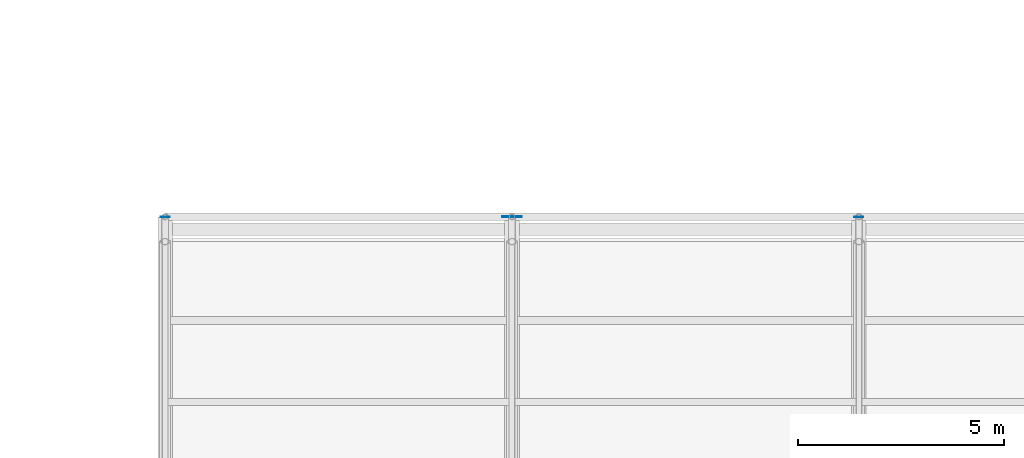
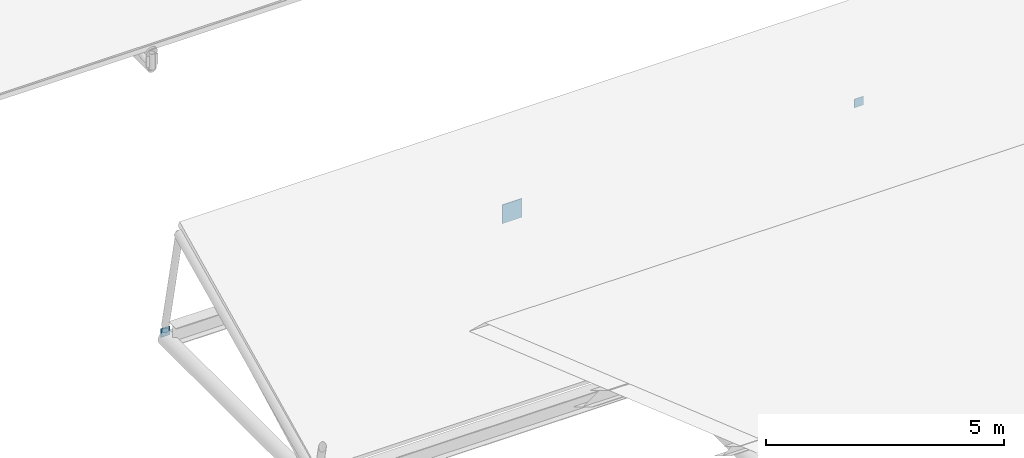
# One storey, part 158 of 194: 3 plates.
"""IFC4 building model written with IfcOpenShell, lengths in metres."""

from ifc_helpers import new_model, si_unit, direction, frame, origin, origin_2d, place, context, subcontext, project, spatial, rectangle, extrude, material, layer, layer_set, type_object, element, save


model = new_model("IFC4")

# Units and contexts
model_context = context("Model", 3, precision=1e-05, world=origin(), true_north=direction((0.0, 1.0)))
body_context = subcontext(model_context, "Body", "Model", "MODEL_VIEW")
ifc_project = project(units=[si_unit("LENGTHUNIT", "METRE"), si_unit("AREAUNIT", "SQUARE_METRE"), si_unit("VOLUMEUNIT", "CUBIC_METRE"), si_unit("PLANEANGLEUNIT", "RADIAN"), si_unit("MASSUNIT", "GRAM", prefix="KILO")], contexts=[model_context])

# Site, building, storey
site_placement = place(None, origin())
site = spatial("IfcSite", under=ifc_project, at=site_placement, CompositionType="ELEMENT")
building_placement = place(site_placement, origin())
building = spatial("IfcBuilding", under=site, at=building_placement, Name="Kazenagashi Tramway Depot", CompositionType="ELEMENT")
storey_placement = place(building_placement, frame((0.0, 0.0, 23.7)))
storey = spatial("IfcBuildingStorey", under=building, at=storey_placement, Name="ROOF", CompositionType="ELEMENT", Elevation=23.7)

# Plates
ifc_material_1 = material(Name="Steel STK490", Category="steel")
ifc_layer_1 = layer(ifc_material_1, 0.012)
ifc_layer_set_1 = layer_set([ifc_layer_1], Name="Steel STK490")
plate_type_1 = type_object("IfcPlateType", Name="EC-03", PredefinedType="USERDEFINED", material=ifc_layer_set_1)
for number, where, z_axis, x_axis, name in (
    (1, (44.8, 54.9, -8.86), (0.0, 0.0, 1.0), (1.0, 0.0, 0.0), "Structural Node Plate EC-03 PLT-0078"),
    (2, (61.6, 54.9, -8.86), (0.0, 0.0, 1.0), (1.0, 0.0, 0.0), "Structural Node Plate EC-03 PLT-0080"),
):
    element("IfcPlate", number, at=place(storey_placement, frame(where, z_axis=z_axis, x_axis=x_axis)), inside=storey, type_object=plate_type_1, Name=name, ObjectType="END CAP PLATE", PredefinedType="USERDEFINED", context=body_context, shape_type="SweptSolid", body=[
        extrude(rectangle(XDim=0.22, YDim=0.012, at=origin_2d()), origin(), (0.0, 0.0, 1.0), 0.22),
    ])
ifc_material_2 = material(Name="Steel SN490B", Category="steel")
ifc_layer_2 = layer(ifc_material_2, 0.019)
ifc_layer_set_2 = layer_set([ifc_layer_2], Name="Steel SN490B")
plate_type_2 = type_object("IfcPlateType", Name="GP-02", PredefinedType="USERDEFINED", material=ifc_layer_set_2)
plate_placement = place(storey_placement, frame((53.2, 54.9, -8.84), z_axis=(0.0, 0.0, 1.0), x_axis=(1.0, 0.0, 0.0)))
element("IfcPlate", 3, at=plate_placement, inside=storey, type_object=plate_type_2, Name="Structural Node Plate GP-02 PLT-0115", ObjectType="GUSSET PLATE", PredefinedType="USERDEFINED", context=body_context, shape_type="SweptSolid", body=[
    extrude(rectangle(XDim=0.48, YDim=0.019, at=origin_2d()), origin(), (0.0, 0.0, 1.0), 0.48),
])

save(model, "model.ifc")
